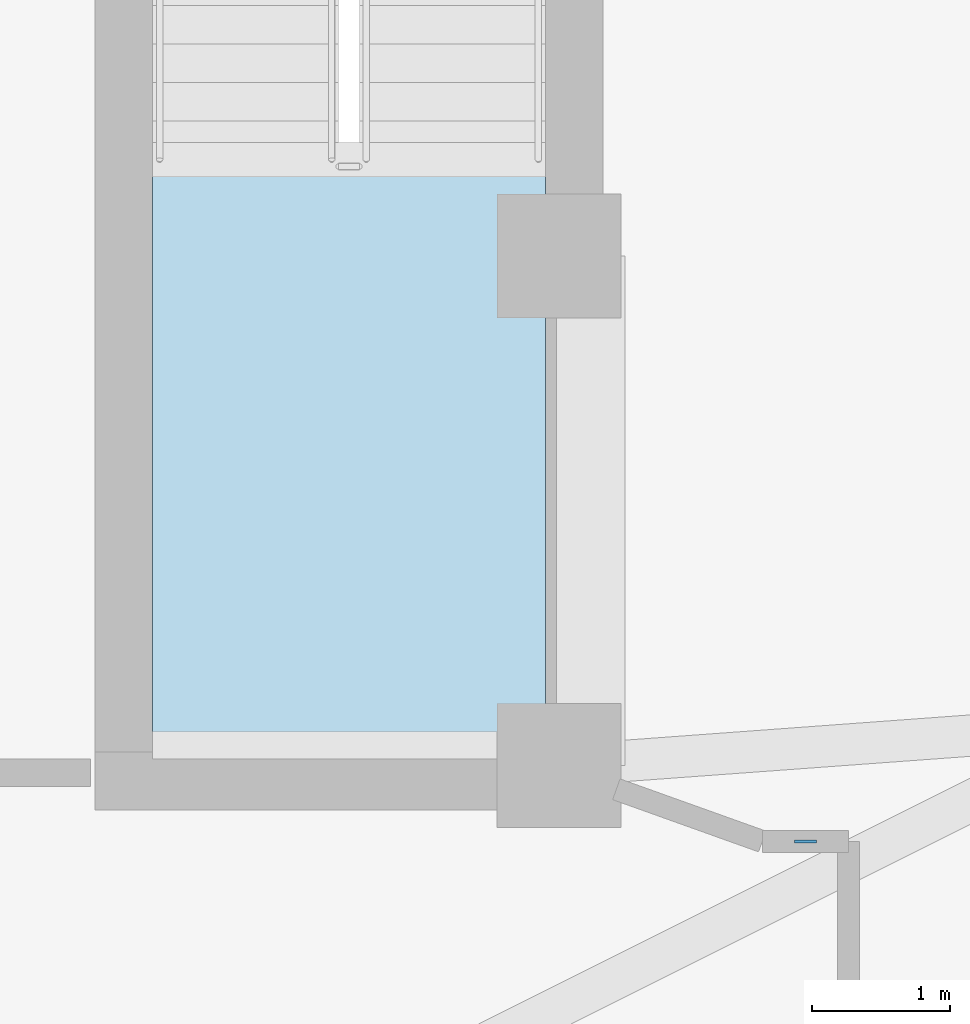
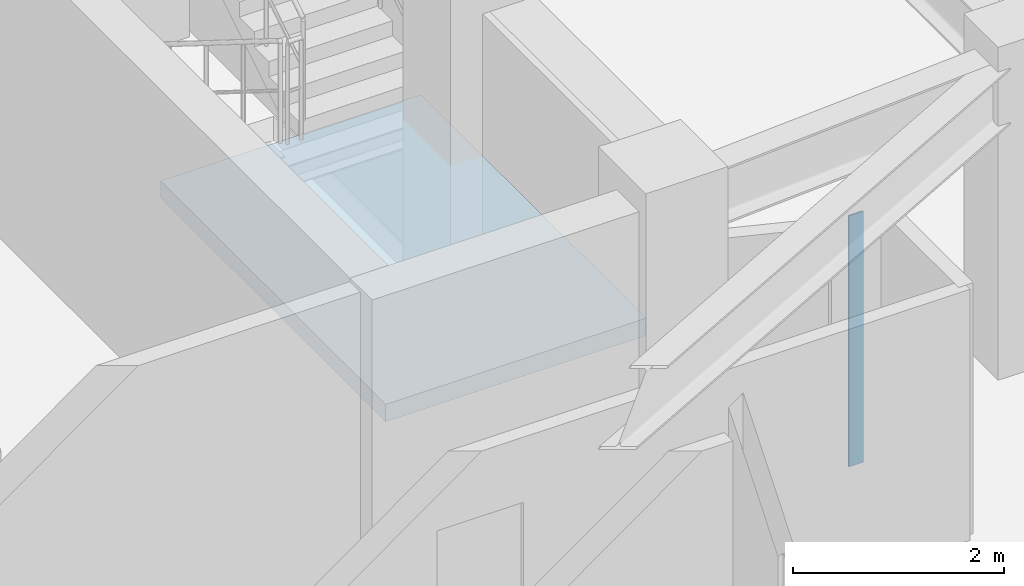
# One storey, part 3 of 13: 1 plate, 1 slab, 1 element without a shape of its own.
"""IFC4 building model written with IfcOpenShell, lengths in metres."""

from ifc_helpers import new_model, si_unit, direction, frame, origin, origin_2d, place, context, subcontext, project, spatial, polyline, rectangle, outline, extrude, material, layer, layer_set, type_object, element, aggregate, save


model = new_model("IFC4")

# Units and contexts
model_context = context("Model", 3, precision=1e-05, world=origin(), true_north=direction((0.0, 1.0)))
body_context = subcontext(model_context, "Body", "Model", "MODEL_VIEW")
ifc_project = project(units=[si_unit("LENGTHUNIT", "METRE"), si_unit("AREAUNIT", "SQUARE_METRE"), si_unit("VOLUMEUNIT", "CUBIC_METRE"), si_unit("PLANEANGLEUNIT", "RADIAN"), si_unit("MASSUNIT", "GRAM", prefix="KILO")], contexts=[model_context])

# Site, building, storey
site_placement = place(None, origin())
site = spatial("IfcSite", under=ifc_project, at=site_placement, CompositionType="ELEMENT")
building_placement = place(site_placement, origin())
building = spatial("IfcBuilding", under=site, at=building_placement, Name="Miruveldt Soraemaru", CompositionType="ELEMENT")
storey_placement = place(building_placement, frame((0.0, 0.0, 252.0)))
storey = spatial("IfcBuildingStorey", under=building, at=storey_placement, Name="L69", CompositionType="ELEMENT", Elevation=252.0)

# Plate
ifc_material_1 = material(Name="Anodised aluminium EN AW-6063 T6", Category="aluminium")
ifc_layer_1 = layer(ifc_material_1, 0.02001953125, Name="Anodised aluminium EN AW-6063 T6", Category="aluminium")
ifc_layer_set_1 = layer_set([ifc_layer_1], Name="Anodised aluminium EN AW-6063 T6")
plate_type = type_object("IfcPlateType", Name="PLT-PART-TRIM", PredefinedType="SHEET", material=ifc_layer_set_1)
plate_placement = place(storey_placement, frame((54.28759765625, 34.949951171875, 0.0), z_axis=(0.0, 0.0, 1.0), x_axis=(-1.0, 0.0, 0.0)))
element("IfcPlate", 1, at=plate_placement, inside=storey, type_object=plate_type, Name="L69 Partition Step Corner Trim Plate 012", PredefinedType="SHEET", context=body_context, shape_type="SweptSolid", body=[
    extrude(rectangle(XDim=0.159912109375, YDim=0.02001953125, at=origin_2d()), origin(), (0.0, 0.0, 1.0), 2.903076171875),
])

# Stair, slab
ifc_material_2 = material(Name="Concrete C40/50 (40 MPa)", Category="concrete")
stair_type = type_object("IfcStairType", Name="STAIR-DL-385", PredefinedType="HALF_TURN_STAIR", material=ifc_material_2)
stair_placement = place(storey_placement, origin())
stair = element("IfcStair", 2, at=stair_placement, inside=storey, type_object=stair_type, Name="L69 Protected Exit Stair ST-2", PredefinedType="HALF_TURN_STAIR")
ifc_layer_2 = layer(ifc_material_2, 0.199951171875, Name="Concrete C40/50 (40 MPa)", Category="concrete")
ifc_layer_set_2 = layer_set([ifc_layer_2], Name="Concrete C40/50 (40 MPa)")
slab_type = type_object("IfcSlabType", Name="SLAB-LAND-200", PredefinedType="LANDING", material=ifc_layer_set_2)
slab_placement = place(storey_placement, frame((0.0, 0.0, 1.72509765625)))
slab = element("IfcSlab", 3, at=slab_placement, type_object=slab_type, Name="ST-2 landing 1", PredefinedType="LANDING", context=body_context, shape_type="SweptSolid", body=[
    extrude(outline(polyline([(49.550048828125, 39.91796875), (49.550048828125, 35.64990234375), (52.39990234375, 35.64990234375), (52.39990234375, 39.91796875), (49.550048828125, 39.91796875)])), origin(), (0.0, 0.0, 1.0), 0.199951171875),
])
aggregate(stair, [slab])

save(model, "model.ifc")
